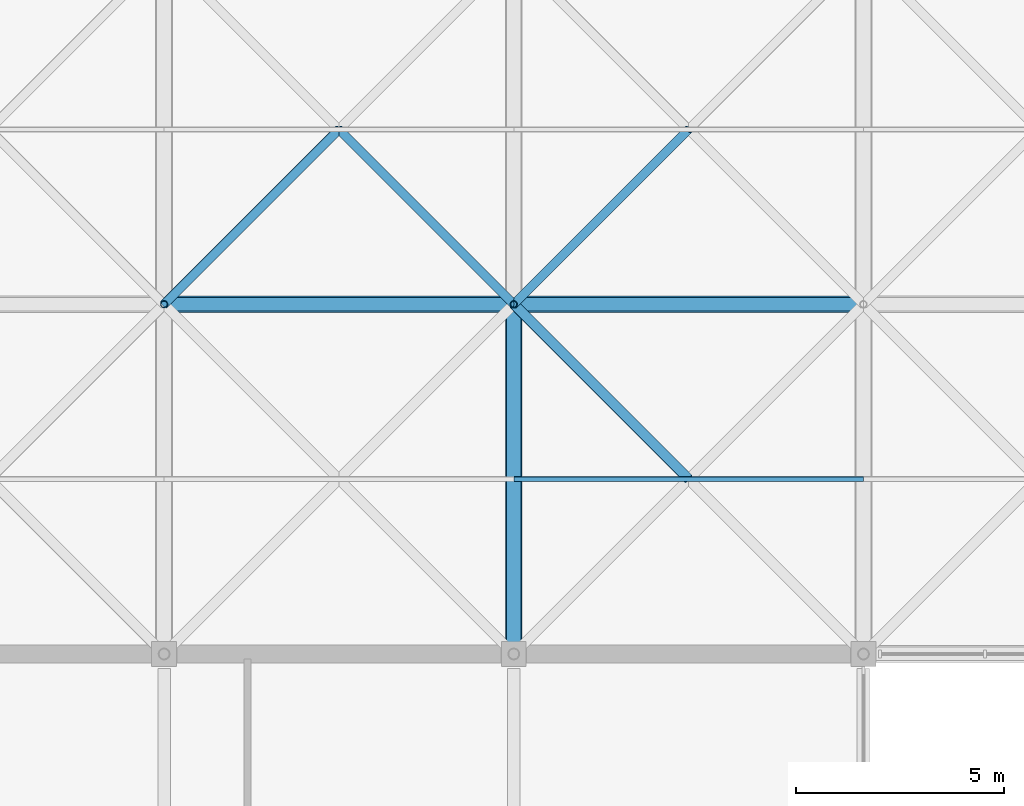
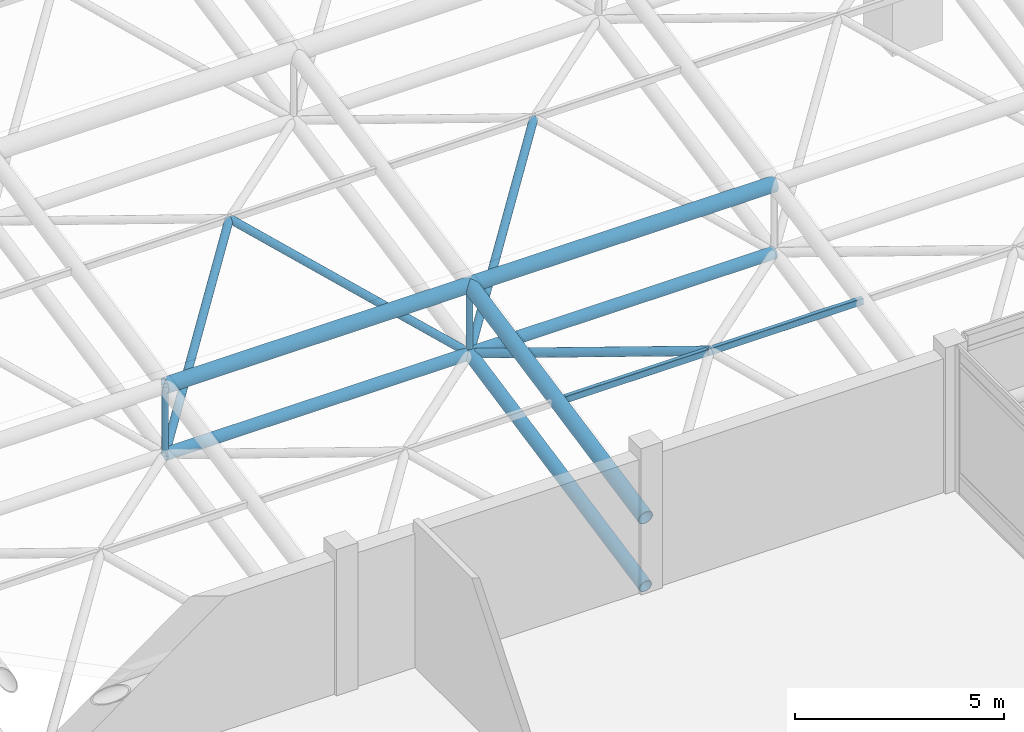
# One storey, part 11 of 81: 13 members.
"""IFC4 building model written with IfcOpenShell, lengths in metres."""

from ifc_helpers import new_model, si_unit, direction, frame, origin, origin_2d, place, context, subcontext, project, spatial, hollow_rectangle, hollow_circle, extrude, material, material_profile, profile_set, type_object, element, save


model = new_model("IFC4")

# Units and contexts
model_context = context("Model", 3, precision=1e-05, world=origin(), true_north=direction((0.0, 1.0)))
body_context = subcontext(model_context, "Body", "Model", "MODEL_VIEW")
ifc_project = project(units=[si_unit("LENGTHUNIT", "METRE"), si_unit("AREAUNIT", "SQUARE_METRE"), si_unit("VOLUMEUNIT", "CUBIC_METRE"), si_unit("PLANEANGLEUNIT", "RADIAN"), si_unit("MASSUNIT", "GRAM", prefix="KILO")], contexts=[model_context])

# Site, building, storey
site_placement = place(None, origin())
site = spatial("IfcSite", under=ifc_project, at=site_placement, CompositionType="ELEMENT")
building_placement = place(site_placement, origin())
building = spatial("IfcBuilding", under=site, at=building_placement, Name="Qawsi Khor Wholesale Market", CompositionType="ELEMENT")
storey_placement = place(building_placement, frame((0.0, 0.0, 16.199951171875)))
storey = spatial("IfcBuildingStorey", under=building, at=storey_placement, Name="L03", CompositionType="ELEMENT", Elevation=16.199951171875)

# Members
ifc_material = material(Name="Steel S355", Category="steel")
ifc_material_profile_1 = material_profile(ifc_material, hollow_circle(Radius=0.177734375, WallThickness=0.01611328125, at=origin_2d()), Name="CHS 355.6x16.0")
ifc_profile_set_1 = profile_set([ifc_material_profile_1], Name="Steel S355")
member_type_1 = type_object("IfcMemberType", Name="Space-Frame Bottom Chord CHS 355.6x16.0", PredefinedType="CHORD", material=ifc_profile_set_1)
member_1_placement = place(storey_placement, frame((42.0, 42.0, -0.030029296875), z_axis=(0.0, 0.9801244518, 0.198383615716), x_axis=(-1.0, 0.0, 0.0)))
element("IfcMember", 1, at=member_1_placement, inside=storey, type_object=member_type_1, Name="Space frame bottom chord Y WH (5,5)", PredefinedType="CHORD", context=body_context, shape_type="SweptSolid", body=[
    extrude(hollow_circle(Radius=0.177734375, WallThickness=0.01611328125, at=origin_2d()), origin(), (0.0, 0.0, 1.0), 8.5703125),
])
ifc_material_profile_2 = material_profile(ifc_material, hollow_circle(Radius=0.122314453125, WallThickness=0.012451171875, at=origin_2d()), Name="CHS 244.5x12.5")
ifc_profile_set_2 = profile_set([ifc_material_profile_2], Name="Steel S355")
member_type_2 = type_object("IfcMemberType", Name="Space-Frame Heavy Diagonal CHS 244.5x12.5", PredefinedType="POST", material=ifc_profile_set_2)
member_2_placement = place(storey_placement, frame((42.0, 50.39990234375, 1.670166015625), z_axis=(0.694216714393, -0.694216714393, 0.190069216113), x_axis=(0.707106781187, 0.707106781187, 0.0)))
element("IfcMember", 2, at=member_2_placement, inside=storey, type_object=member_type_2, Name="Space frame diagonal WH (5,5)-4", PredefinedType="POST", context=body_context, shape_type="SweptSolid", body=[
    extrude(hollow_circle(Radius=0.122314453125, WallThickness=0.012451171875, at=origin_2d()), origin(), (0.0, 0.0, 1.0), 6.0498046875),
])
ifc_material_profile_3 = material_profile(ifc_material, hollow_rectangle(XDim=0.1201171875, YDim=0.199951171875, WallThickness=0.008056640625, InnerFilletRadius=0.008056640625, OuterFilletRadius=0.01611328125, at=origin_2d()), Name="RHS 200x120x8.0")
ifc_profile_set_3 = profile_set([ifc_material_profile_3], Name="Steel S355")
member_type_3 = type_object("IfcMemberType", Name="Space-Frame Heavy Purlin RHS 200x120x8.0", PredefinedType="PURLIN", material=ifc_profile_set_3)
member_3_placement = place(storey_placement, frame((42.0, 46.199951171875, 2.820068359375), z_axis=(1.0, 0.0, 0.0), x_axis=(0.0, 1.0, 0.0)))
element("IfcMember", 3, at=member_3_placement, inside=storey, type_object=member_type_3, Name="Space frame purlin WH (5,5)", PredefinedType="PURLIN", context=body_context, shape_type="SweptSolid", body=[
    extrude(hollow_rectangle(XDim=0.1201171875, YDim=0.199951171875, WallThickness=0.008056640625, InnerFilletRadius=0.008056640625, OuterFilletRadius=0.01611328125, at=origin_2d()), origin(), (0.0, 0.0, 1.0), 8.39990234375),
])
ifc_material_profile_4 = material_profile(ifc_material, hollow_circle(Radius=0.109619140625, WallThickness=0.010009765625, at=origin_2d()), Name="CHS 219.1x10.0")
ifc_profile_set_4 = profile_set([ifc_material_profile_4], Name="Steel S355")
member_type_4 = type_object("IfcMemberType", Name="Space-Frame Inner Diagonal CHS 219.1x10.0", PredefinedType="RAFTER", material=ifc_profile_set_4)
for number, where, z_axis, x_axis, name in (
    (4, (33.60009765625, 50.39990234375, 1.670166015625), (0.637506899628, 0.637543957519, 0.432576762155), (-0.707127332136, 0.70708622964, 0.0), "Space frame diagonal WH (4,6)-1"),
    (5, (42.0, 50.39990234375, 1.670166015625), (-0.637506899628, 0.637543957519, 0.432576762155), (-0.707127332136, -0.70708622964, 0.0), "Space frame diagonal WH (4,6)-2"),
    (6, (42.0, 50.39990234375, 1.670166015625), (0.637506899628, 0.637543957519, 0.432576762155), (-0.707127332136, 0.70708622964, 0.0), "Space frame diagonal WH (5,6)-1"),
):
    element("IfcMember", number, at=place(storey_placement, frame(where, z_axis=z_axis, x_axis=x_axis)), inside=storey, type_object=member_type_4, Name=name, PredefinedType="RAFTER", context=body_context, shape_type="SweptSolid", body=[
        extrude(hollow_circle(Radius=0.109619140625, WallThickness=0.010009765625, at=origin_2d()), origin(), (0.0, 0.0, 1.0), 6.588134765625),
    ])
ifc_material_profile_5 = material_profile(ifc_material, hollow_circle(Radius=0.161865234375, WallThickness=0.01611328125, at=origin_2d()), Name="CHS 323.9x16.0")
ifc_profile_set_5 = profile_set([ifc_material_profile_5], Name="Steel S355")
member_type_5 = type_object("IfcMemberType", Name="Space-Frame Secondary Chord CHS 323.9x16.0", PredefinedType="CHORD", material=ifc_profile_set_5)
for number, where, z_axis, x_axis, name in (
    (7, (33.60009765625, 50.39990234375, 1.670166015625), (1.0, 0.0, 0.0), (0.0, 1.0, 0.0), "Space frame bottom chord X WH (4,6)"),
    (8, (42.0, 50.39990234375, 1.670166015625), (1.0, 0.0, 0.0), (0.0, 1.0, 0.0), "Space frame bottom chord X WH (5,6)"),
):
    element("IfcMember", number, at=place(storey_placement, frame(where, z_axis=z_axis, x_axis=x_axis)), inside=storey, type_object=member_type_5, Name=name, PredefinedType="CHORD", context=body_context, shape_type="SweptSolid", body=[
        extrude(hollow_circle(Radius=0.161865234375, WallThickness=0.01611328125, at=origin_2d()), origin(), (0.0, 0.0, 1.0), 8.39990234375),
    ])
ifc_material_profile_6 = material_profile(ifc_material, hollow_circle(Radius=0.203125, WallThickness=0.02001953125, at=origin_2d()), Name="CHS 406.4x20.0")
ifc_profile_set_6 = profile_set([ifc_material_profile_6], Name="Steel S355")
member_type_6 = type_object("IfcMemberType", Name="Space-Frame Top Chord CHS 406.4x20.0", PredefinedType="CHORD", material=ifc_profile_set_6)
member_4_placement = place(storey_placement, frame((33.60009765625, 50.39990234375, 3.670166015625), z_axis=(1.0, 0.0, 0.0), x_axis=(0.0, 1.0, 0.0)))
element("IfcMember", 9, at=member_4_placement, inside=storey, type_object=member_type_6, Name="Space frame top chord X WH (4,6)", PredefinedType="CHORD", context=body_context, shape_type="SweptSolid", body=[
    extrude(hollow_circle(Radius=0.203125, WallThickness=0.02001953125, at=origin_2d()), origin(), (0.0, 0.0, 1.0), 8.39990234375),
])
member_5_placement = place(storey_placement, frame((42.0, 42.0, 1.969970703125), z_axis=(0.0, 0.9801244518, 0.198383615716), x_axis=(-1.0, 0.0, 0.0)))
element("IfcMember", 10, at=member_5_placement, inside=storey, type_object=member_type_6, Name="Space frame top chord Y WH (5,5)", PredefinedType="CHORD", context=body_context, shape_type="SweptSolid", body=[
    extrude(hollow_circle(Radius=0.203125, WallThickness=0.02001953125, at=origin_2d()), origin(), (0.0, 0.0, 1.0), 8.5703125),
])
member_6_placement = place(storey_placement, frame((42.0, 50.39990234375, 3.670166015625), z_axis=(1.0, 0.0, 0.0), x_axis=(0.0, 1.0, 0.0)))
element("IfcMember", 11, at=member_6_placement, inside=storey, type_object=member_type_6, Name="Space frame top chord X WH (5,6)", PredefinedType="CHORD", context=body_context, shape_type="SweptSolid", body=[
    extrude(hollow_circle(Radius=0.203125, WallThickness=0.02001953125, at=origin_2d()), origin(), (0.0, 0.0, 1.0), 8.39990234375),
])
ifc_material_profile_7 = material_profile(ifc_material, hollow_circle(Radius=0.084228515625, WallThickness=0.008056640625, at=origin_2d()), Name="CHS 168.3x8.0")
ifc_profile_set_7 = profile_set([ifc_material_profile_7], Name="Steel S355")
member_type_7 = type_object("IfcMemberType", Name="Space-Frame Vertical Strut CHS 168.3x8.0", PredefinedType="STRUT", material=ifc_profile_set_7)
for number, where, z_axis, x_axis, name in (
    (12, (33.60009765625, 50.39990234375, 1.670166015625), (0.0, 0.0, 1.0), (1.0, 0.0, 0.0), "Space frame post WH (4,6)"),
    (13, (42.0, 50.39990234375, 1.670166015625), (0.0, 0.0, 1.0), (1.0, 0.0, 0.0), "Space frame post WH (5,6)"),
):
    element("IfcMember", number, at=place(storey_placement, frame(where, z_axis=z_axis, x_axis=x_axis)), inside=storey, type_object=member_type_7, Name=name, PredefinedType="STRUT", context=body_context, shape_type="SweptSolid", body=[
        extrude(hollow_circle(Radius=0.084228515625, WallThickness=0.008056640625, at=origin_2d()), origin(), (0.0, 0.0, 1.0), 2.0),
    ])

save(model, "model.ifc")
